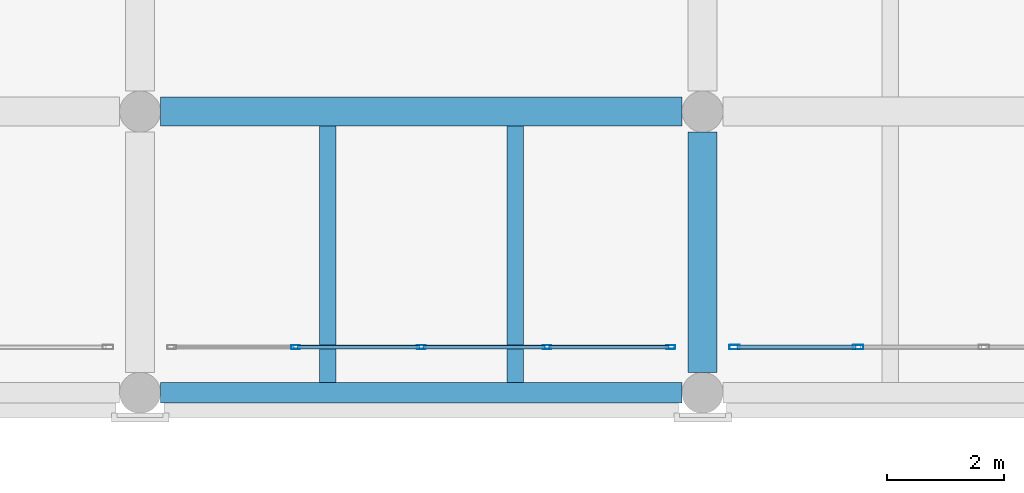
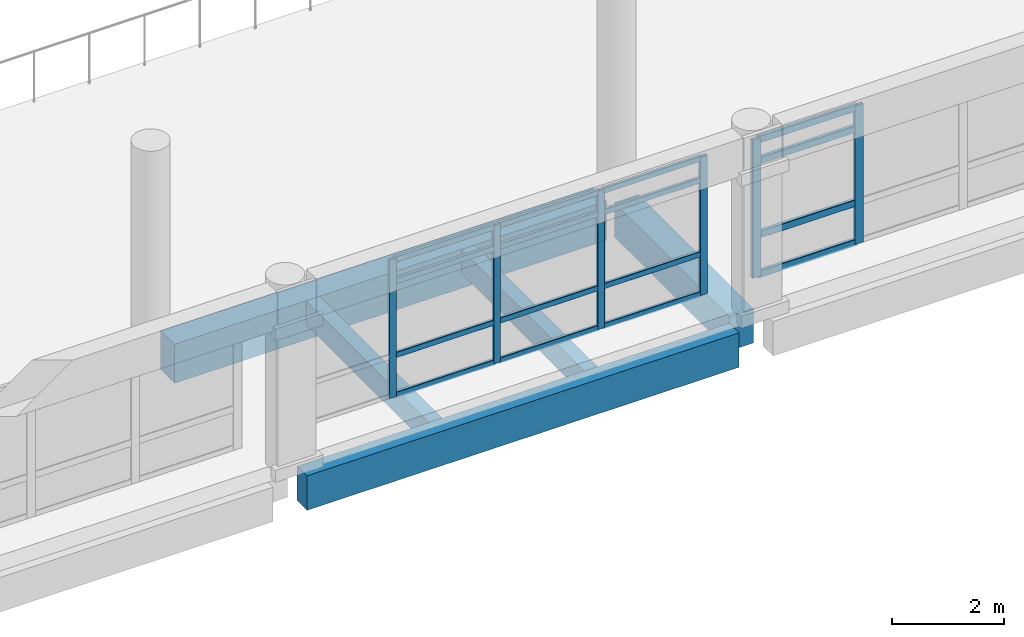
# One storey, part 22 of 180: 22 members, 5 beams, 2 elements without a shape of their own.
"""IFC4 building model written with IfcOpenShell, lengths in metres."""

from ifc_helpers import new_model, si_unit, direction, frame, origin, origin_2d, place, context, subcontext, project, spatial, rectangle, hollow_rectangle, extrude, material, layer, layer_set, material_profile, profile_set, type_object, element, aggregate, save


model = new_model("IFC4")

# Units and contexts
model_context = context("Model", 3, precision=1e-05, world=origin(), true_north=direction((0.0, 1.0)))
body_context = subcontext(model_context, "Body", "Model", "MODEL_VIEW")
ifc_project = project(units=[si_unit("LENGTHUNIT", "METRE"), si_unit("AREAUNIT", "SQUARE_METRE"), si_unit("VOLUMEUNIT", "CUBIC_METRE"), si_unit("PLANEANGLEUNIT", "RADIAN"), si_unit("MASSUNIT", "GRAM", prefix="KILO")], contexts=[model_context])

# Site, building, storey
site_placement = place(None, origin())
site = spatial("IfcSite", under=ifc_project, at=site_placement, CompositionType="ELEMENT")
building_placement = place(site_placement, origin())
building = spatial("IfcBuilding", under=site, at=building_placement, Name="Asteropetra Specialist Clinic", CompositionType="ELEMENT")
storey_placement = place(building_placement, frame((0.0, 0.0, 4.419921875)))
storey = spatial("IfcBuildingStorey", under=building, at=storey_placement, Name="L01", CompositionType="ELEMENT", Elevation=4.419921875)

# Beams
ifc_material_1 = material(Name="Concrete C35/45", Category="concrete")
ifc_material_profile_1 = material_profile(ifc_material_1, rectangle(XDim=0.5, YDim=0.75, at=origin_2d()), Name="RCB 500x750")
ifc_profile_set_1 = profile_set([ifc_material_profile_1], Name="Concrete C35/45")
beam_type_1 = type_object("IfcBeamType", Name="BM-RC500x750", PredefinedType="BEAM", material=ifc_profile_set_1)
beam_1_placement = place(storey_placement, frame((38.39990234375, 0.35009765625, -0.71484375), z_axis=(0.0, 1.0, 0.0), x_axis=(-1.0, 0.0, 0.0)))
element("IfcBeam", 1, at=beam_1_placement, inside=storey, type_object=beam_type_1, Name="Beam BBM04-0256", PredefinedType="BEAM", context=body_context, shape_type="SweptSolid", body=[
    extrude(rectangle(XDim=0.5, YDim=0.75, at=origin_2d()), origin(), (0.0, 0.0, 1.0), 4.099853515625),
])
ifc_material_2 = material(Name="Concrete C35/45", Category="concrete")
ifc_material_profile_2 = material_profile(ifc_material_2, rectangle(XDim=0.5, YDim=0.85009765625, at=origin_2d()), Name="RCB 500x850")
ifc_profile_set_2 = profile_set([ifc_material_profile_2], Name="Concrete C35/45")
beam_type_2 = type_object("IfcBeamType", Name="BM-RC500x850", PredefinedType="BEAM", material=ifc_profile_set_2)
beam_2_placement = place(storey_placement, frame((29.14990234375, 4.800048828125, -0.764892578125), z_axis=(1.0, 0.0, 0.0), x_axis=(0.0, 1.0, 0.0)))
element("IfcBeam", 2, at=beam_2_placement, inside=storey, type_object=beam_type_2, Name="Beam BBM03-0235", PredefinedType="BEAM", context=body_context, shape_type="SweptSolid", body=[
    extrude(rectangle(XDim=0.5, YDim=0.85009765625, at=origin_2d()), origin(), (0.0, 0.0, 1.0), 8.900146484375),
])

# Curtain wall, members
ifc_material_3 = material(Name="Aluminium and low-E glass", Category="aluminium")
ifc_layer_1 = layer(ifc_material_3, 0.135009765625)
ifc_layer_set_1 = layer_set([ifc_layer_1], Name="Aluminium and low-E glass")
curtain_wall_type_1 = type_object("IfcCurtainWallType", Name="CW-SYS-09", PredefinedType="USERDEFINED", material=ifc_layer_set_1)
curtain_wall_1_placement = place(storey_placement, origin())
curtain_wall_1 = element("IfcCurtainWall", 3, at=curtain_wall_1_placement, inside=storey, type_object=curtain_wall_type_1, Name="Curtain Wall CW-136", ObjectType="STICK GLAZED COLONNADE", PredefinedType="USERDEFINED")
ifc_material_4 = material(Name="Aluminium 6063-T6", Category="aluminium")
ifc_material_profile_3 = material_profile(ifc_material_4, hollow_rectangle(XDim=0.06494140625, YDim=0.14990234375, WallThickness=0.00390625, InnerFilletRadius=0.00390625, OuterFilletRadius=0.008056640625, at=origin_2d()), Name="MUL 150x65x4.0")
ifc_profile_set_3 = profile_set([ifc_material_profile_3], Name="Aluminium 6063-T6")
member_type_1 = type_object("IfcMemberType", Name="CWM-150x65", PredefinedType="MULLION", material=ifc_profile_set_3)
member_1_placement = place(storey_placement, frame((31.455078125, 0.780029296875, 0.0), z_axis=(0.0, 0.0, 1.0), x_axis=(0.0, 1.0, 0.0)))
member_1 = element("IfcMember", 4, at=member_1_placement, type_object=member_type_1, Name="CW-136 mullion 2", PredefinedType="MULLION", context=body_context, shape_type="SweptSolid", body=[
    extrude(hollow_rectangle(XDim=0.06494140625, YDim=0.14990234375, WallThickness=0.00390625, InnerFilletRadius=0.00390625, OuterFilletRadius=0.008056640625, at=origin_2d()), origin(), (0.0, 0.0, 1.0), 3.010009765625),
])
member_2_placement = place(storey_placement, frame((33.60009765625, 0.780029296875, 0.0), z_axis=(0.0, 0.0, 1.0), x_axis=(0.0, 1.0, 0.0)))
member_2 = element("IfcMember", 5, at=member_2_placement, type_object=member_type_1, Name="CW-136 mullion 3", PredefinedType="MULLION", context=body_context, shape_type="SweptSolid", body=[
    extrude(hollow_rectangle(XDim=0.06494140625, YDim=0.14990234375, WallThickness=0.00390625, InnerFilletRadius=0.00390625, OuterFilletRadius=0.008056640625, at=origin_2d()), origin(), (0.0, 0.0, 1.0), 3.010009765625),
])
member_3_placement = place(storey_placement, frame((35.7451171875, 0.780029296875, 0.0), z_axis=(0.0, 0.0, 1.0), x_axis=(0.0, 1.0, 0.0)))
member_3 = element("IfcMember", 6, at=member_3_placement, type_object=member_type_1, Name="CW-136 mullion 4", PredefinedType="MULLION", context=body_context, shape_type="SweptSolid", body=[
    extrude(hollow_rectangle(XDim=0.06494140625, YDim=0.14990234375, WallThickness=0.00390625, InnerFilletRadius=0.00390625, OuterFilletRadius=0.008056640625, at=origin_2d()), origin(), (0.0, 0.0, 1.0), 3.010009765625),
])
member_4_placement = place(storey_placement, frame((37.857421875, 0.780029296875, 0.0), z_axis=(0.0, 0.0, 1.0), x_axis=(0.0, 1.0, 0.0)))
member_4 = element("IfcMember", 7, at=member_4_placement, type_object=member_type_1, Name="CW-136 mullion 5", PredefinedType="MULLION", context=body_context, shape_type="SweptSolid", body=[
    extrude(hollow_rectangle(XDim=0.06494140625, YDim=0.14990234375, WallThickness=0.00390625, InnerFilletRadius=0.00390625, OuterFilletRadius=0.008056640625, at=origin_2d()), origin(), (0.0, 0.0, 1.0), 3.010009765625),
])

ifc_material_5 = material(Name="Aluminium and low-E glass", Category="aluminium")
ifc_layer_2 = layer(ifc_material_5, 0.14990234375)
ifc_layer_set_2 = layer_set([ifc_layer_2], Name="Aluminium and low-E glass")
curtain_wall_type_2 = type_object("IfcCurtainWallType", Name="CW-SYS-11", PredefinedType="USERDEFINED", material=ifc_layer_set_2)
curtain_wall_2_placement = place(storey_placement, origin())
curtain_wall_2 = element("IfcCurtainWall", 8, at=curtain_wall_2_placement, inside=storey, type_object=curtain_wall_type_2, Name="Curtain Wall CW-138", ObjectType="STICK GLAZED COLONNADE", PredefinedType="USERDEFINED")
ifc_material_6 = material(Name="Aluminium 6063-T6", Category="aluminium")
ifc_material_profile_4 = material_profile(ifc_material_6, hollow_rectangle(XDim=0.074951171875, YDim=0.179931640625, WallThickness=0.00390625, InnerFilletRadius=0.00390625, OuterFilletRadius=0.008056640625, at=origin_2d()), Name="MUL 180x75x4.0")
ifc_profile_set_4 = profile_set([ifc_material_profile_4], Name="Aluminium 6063-T6")
member_type_2 = type_object("IfcMemberType", Name="CWM-180x75", PredefinedType="MULLION", material=ifc_profile_set_4)
member_5_placement = place(storey_placement, frame((38.947509765625, 0.780029296875, 0.0), z_axis=(0.0, 0.0, 1.0), x_axis=(0.0, 1.0, 0.0)))
member_5 = element("IfcMember", 9, at=member_5_placement, type_object=member_type_2, Name="CW-138 mullion 1", PredefinedType="MULLION", context=body_context, shape_type="SweptSolid", body=[
    extrude(hollow_rectangle(XDim=0.074951171875, YDim=0.179931640625, WallThickness=0.00390625, InnerFilletRadius=0.00390625, OuterFilletRadius=0.008056640625, at=origin_2d()), origin(), (0.0, 0.0, 1.0), 3.010009765625),
])
member_6_placement = place(storey_placement, frame((41.054931640625, 0.780029296875, 0.0), z_axis=(0.0, 0.0, 1.0), x_axis=(0.0, 1.0, 0.0)))
member_6 = element("IfcMember", 10, at=member_6_placement, type_object=member_type_2, Name="CW-138 mullion 2", PredefinedType="MULLION", context=body_context, shape_type="SweptSolid", body=[
    extrude(hollow_rectangle(XDim=0.074951171875, YDim=0.179931640625, WallThickness=0.00390625, InnerFilletRadius=0.00390625, OuterFilletRadius=0.008056640625, at=origin_2d()), origin(), (0.0, 0.0, 1.0), 3.010009765625),
])

# Member
ifc_material_7 = material(Name="Aluminium 6063-T6", Category="aluminium")
ifc_material_profile_5 = material_profile(ifc_material_7, hollow_rectangle(XDim=0.06494140625, YDim=0.1201171875, WallThickness=0.00390625, InnerFilletRadius=0.00390625, OuterFilletRadius=0.008056640625, at=origin_2d()), Name="TRN 120x65x4.0")
ifc_profile_set_5 = profile_set([ifc_material_profile_5], Name="Aluminium 6063-T6")
member_type_3 = type_object("IfcMemberType", Name="CWT-120x65", PredefinedType="USERDEFINED", material=ifc_profile_set_5)
member_7_placement = place(storey_placement, frame((31.487548828125, 0.780029296875, 0.032470703125), z_axis=(1.0, 0.0, 0.0), x_axis=(0.0, 1.0, 0.0)))
member_7 = element("IfcMember", 11, at=member_7_placement, type_object=member_type_3, Name="CW-136 transom 2.1", ObjectType="TRANSOM", PredefinedType="USERDEFINED", context=body_context, shape_type="SweptSolid", body=[
    extrude(hollow_rectangle(XDim=0.06494140625, YDim=0.1201171875, WallThickness=0.00390625, InnerFilletRadius=0.00390625, OuterFilletRadius=0.008056640625, at=origin_2d()), origin(), (0.0, 0.0, 1.0), 2.079833984375),
])

member_8_placement = place(storey_placement, frame((31.487548828125, 0.780029296875, 0.900146484375), z_axis=(1.0, 0.0, 0.0), x_axis=(0.0, 1.0, 0.0)))
member_8 = element("IfcMember", 12, at=member_8_placement, type_object=member_type_3, Name="CW-136 transom 2.2", ObjectType="TRANSOM", PredefinedType="USERDEFINED", context=body_context, shape_type="SweptSolid", body=[
    extrude(hollow_rectangle(XDim=0.06494140625, YDim=0.1201171875, WallThickness=0.00390625, InnerFilletRadius=0.00390625, OuterFilletRadius=0.008056640625, at=origin_2d()), origin(), (0.0, 0.0, 1.0), 2.079833984375),
])

member_9_placement = place(storey_placement, frame((31.487548828125, 0.780029296875, 2.510009765625), z_axis=(1.0, 0.0, 0.0), x_axis=(0.0, 1.0, 0.0)))
member_9 = element("IfcMember", 13, at=member_9_placement, type_object=member_type_3, Name="CW-136 transom 2.3", ObjectType="TRANSOM", PredefinedType="USERDEFINED", context=body_context, shape_type="SweptSolid", body=[
    extrude(hollow_rectangle(XDim=0.06494140625, YDim=0.1201171875, WallThickness=0.00390625, InnerFilletRadius=0.00390625, OuterFilletRadius=0.008056640625, at=origin_2d()), origin(), (0.0, 0.0, 1.0), 2.079833984375),
])

member_10_placement = place(storey_placement, frame((31.487548828125, 0.780029296875, 2.9775390625), z_axis=(1.0, 0.0, 0.0), x_axis=(0.0, 1.0, 0.0)))
member_10 = element("IfcMember", 14, at=member_10_placement, type_object=member_type_3, Name="CW-136 transom 2.4", ObjectType="TRANSOM", PredefinedType="USERDEFINED", context=body_context, shape_type="SweptSolid", body=[
    extrude(hollow_rectangle(XDim=0.06494140625, YDim=0.1201171875, WallThickness=0.00390625, InnerFilletRadius=0.00390625, OuterFilletRadius=0.008056640625, at=origin_2d()), origin(), (0.0, 0.0, 1.0), 2.079833984375),
])

member_11_placement = place(storey_placement, frame((33.632568359375, 0.780029296875, 0.032470703125), z_axis=(1.0, 0.0, 0.0), x_axis=(0.0, 1.0, 0.0)))
member_11 = element("IfcMember", 15, at=member_11_placement, type_object=member_type_3, Name="CW-136 transom 3.1", ObjectType="TRANSOM", PredefinedType="USERDEFINED", context=body_context, shape_type="SweptSolid", body=[
    extrude(hollow_rectangle(XDim=0.06494140625, YDim=0.1201171875, WallThickness=0.00390625, InnerFilletRadius=0.00390625, OuterFilletRadius=0.008056640625, at=origin_2d()), origin(), (0.0, 0.0, 1.0), 2.079833984375),
])

member_12_placement = place(storey_placement, frame((33.632568359375, 0.780029296875, 0.900146484375), z_axis=(1.0, 0.0, 0.0), x_axis=(0.0, 1.0, 0.0)))
member_12 = element("IfcMember", 16, at=member_12_placement, type_object=member_type_3, Name="CW-136 transom 3.2", ObjectType="TRANSOM", PredefinedType="USERDEFINED", context=body_context, shape_type="SweptSolid", body=[
    extrude(hollow_rectangle(XDim=0.06494140625, YDim=0.1201171875, WallThickness=0.00390625, InnerFilletRadius=0.00390625, OuterFilletRadius=0.008056640625, at=origin_2d()), origin(), (0.0, 0.0, 1.0), 2.079833984375),
])

member_13_placement = place(storey_placement, frame((33.632568359375, 0.780029296875, 2.510009765625), z_axis=(1.0, 0.0, 0.0), x_axis=(0.0, 1.0, 0.0)))
member_13 = element("IfcMember", 17, at=member_13_placement, type_object=member_type_3, Name="CW-136 transom 3.3", ObjectType="TRANSOM", PredefinedType="USERDEFINED", context=body_context, shape_type="SweptSolid", body=[
    extrude(hollow_rectangle(XDim=0.06494140625, YDim=0.1201171875, WallThickness=0.00390625, InnerFilletRadius=0.00390625, OuterFilletRadius=0.008056640625, at=origin_2d()), origin(), (0.0, 0.0, 1.0), 2.079833984375),
])

member_14_placement = place(storey_placement, frame((33.632568359375, 0.780029296875, 2.9775390625), z_axis=(1.0, 0.0, 0.0), x_axis=(0.0, 1.0, 0.0)))
member_14 = element("IfcMember", 18, at=member_14_placement, type_object=member_type_3, Name="CW-136 transom 3.4", ObjectType="TRANSOM", PredefinedType="USERDEFINED", context=body_context, shape_type="SweptSolid", body=[
    extrude(hollow_rectangle(XDim=0.06494140625, YDim=0.1201171875, WallThickness=0.00390625, InnerFilletRadius=0.00390625, OuterFilletRadius=0.008056640625, at=origin_2d()), origin(), (0.0, 0.0, 1.0), 2.079833984375),
])

member_15_placement = place(storey_placement, frame((35.777587890625, 0.780029296875, 0.032470703125), z_axis=(1.0, 0.0, 0.0), x_axis=(0.0, 1.0, 0.0)))
member_15 = element("IfcMember", 19, at=member_15_placement, type_object=member_type_3, Name="CW-136 transom 4.1", ObjectType="TRANSOM", PredefinedType="USERDEFINED", context=body_context, shape_type="SweptSolid", body=[
    extrude(hollow_rectangle(XDim=0.06494140625, YDim=0.1201171875, WallThickness=0.00390625, InnerFilletRadius=0.00390625, OuterFilletRadius=0.008056640625, at=origin_2d()), origin(), (0.0, 0.0, 1.0), 2.04736328125),
])

member_16_placement = place(storey_placement, frame((35.777587890625, 0.780029296875, 0.900146484375), z_axis=(1.0, 0.0, 0.0), x_axis=(0.0, 1.0, 0.0)))
member_16 = element("IfcMember", 20, at=member_16_placement, type_object=member_type_3, Name="CW-136 transom 4.2", ObjectType="TRANSOM", PredefinedType="USERDEFINED", context=body_context, shape_type="SweptSolid", body=[
    extrude(hollow_rectangle(XDim=0.06494140625, YDim=0.1201171875, WallThickness=0.00390625, InnerFilletRadius=0.00390625, OuterFilletRadius=0.008056640625, at=origin_2d()), origin(), (0.0, 0.0, 1.0), 2.04736328125),
])

member_17_placement = place(storey_placement, frame((35.777587890625, 0.780029296875, 2.510009765625), z_axis=(1.0, 0.0, 0.0), x_axis=(0.0, 1.0, 0.0)))
member_17 = element("IfcMember", 21, at=member_17_placement, type_object=member_type_3, Name="CW-136 transom 4.3", ObjectType="TRANSOM", PredefinedType="USERDEFINED", context=body_context, shape_type="SweptSolid", body=[
    extrude(hollow_rectangle(XDim=0.06494140625, YDim=0.1201171875, WallThickness=0.00390625, InnerFilletRadius=0.00390625, OuterFilletRadius=0.008056640625, at=origin_2d()), origin(), (0.0, 0.0, 1.0), 2.04736328125),
])

member_18_placement = place(storey_placement, frame((35.777587890625, 0.780029296875, 2.9775390625), z_axis=(1.0, 0.0, 0.0), x_axis=(0.0, 1.0, 0.0)))
member_18 = element("IfcMember", 22, at=member_18_placement, type_object=member_type_3, Name="CW-136 transom 4.4", ObjectType="TRANSOM", PredefinedType="USERDEFINED", context=body_context, shape_type="SweptSolid", body=[
    extrude(hollow_rectangle(XDim=0.06494140625, YDim=0.1201171875, WallThickness=0.00390625, InnerFilletRadius=0.00390625, OuterFilletRadius=0.008056640625, at=origin_2d()), origin(), (0.0, 0.0, 1.0), 2.04736328125),
])

aggregate(curtain_wall_1, [member_1, member_2, member_3, member_4, member_7, member_8, member_9, member_10, member_11, member_12, member_13, member_14, member_15, member_16, member_17, member_18])

ifc_material_8 = material(Name="Aluminium 6063-T6", Category="aluminium")
ifc_material_profile_6 = material_profile(ifc_material_8, hollow_rectangle(XDim=0.074951171875, YDim=0.14990234375, WallThickness=0.00390625, InnerFilletRadius=0.00390625, OuterFilletRadius=0.008056640625, at=origin_2d()), Name="TRN 150x75x4.0")
ifc_profile_set_6 = profile_set([ifc_material_profile_6], Name="Aluminium 6063-T6")
member_type_4 = type_object("IfcMemberType", Name="CWT-150x75", PredefinedType="USERDEFINED", material=ifc_profile_set_6)
member_19_placement = place(storey_placement, frame((38.985107421875, 0.780029296875, 0.03759765625), z_axis=(1.0, 0.0, 0.0), x_axis=(0.0, 1.0, 0.0)))
member_19 = element("IfcMember", 23, at=member_19_placement, type_object=member_type_4, Name="CW-138 transom 1.1", ObjectType="TRANSOM", PredefinedType="USERDEFINED", context=body_context, shape_type="SweptSolid", body=[
    extrude(hollow_rectangle(XDim=0.074951171875, YDim=0.14990234375, WallThickness=0.00390625, InnerFilletRadius=0.00390625, OuterFilletRadius=0.008056640625, at=origin_2d()), origin(), (0.0, 0.0, 1.0), 2.032470703125),
])

member_20_placement = place(storey_placement, frame((38.985107421875, 0.780029296875, 0.900146484375), z_axis=(1.0, 0.0, 0.0), x_axis=(0.0, 1.0, 0.0)))
member_20 = element("IfcMember", 24, at=member_20_placement, type_object=member_type_4, Name="CW-138 transom 1.2", ObjectType="TRANSOM", PredefinedType="USERDEFINED", context=body_context, shape_type="SweptSolid", body=[
    extrude(hollow_rectangle(XDim=0.074951171875, YDim=0.14990234375, WallThickness=0.00390625, InnerFilletRadius=0.00390625, OuterFilletRadius=0.008056640625, at=origin_2d()), origin(), (0.0, 0.0, 1.0), 2.032470703125),
])

member_21_placement = place(storey_placement, frame((38.985107421875, 0.780029296875, 2.510009765625), z_axis=(1.0, 0.0, 0.0), x_axis=(0.0, 1.0, 0.0)))
member_21 = element("IfcMember", 25, at=member_21_placement, type_object=member_type_4, Name="CW-138 transom 1.3", ObjectType="TRANSOM", PredefinedType="USERDEFINED", context=body_context, shape_type="SweptSolid", body=[
    extrude(hollow_rectangle(XDim=0.074951171875, YDim=0.14990234375, WallThickness=0.00390625, InnerFilletRadius=0.00390625, OuterFilletRadius=0.008056640625, at=origin_2d()), origin(), (0.0, 0.0, 1.0), 2.032470703125),
])

member_22_placement = place(storey_placement, frame((38.985107421875, 0.780029296875, 2.97265625), z_axis=(1.0, 0.0, 0.0), x_axis=(0.0, 1.0, 0.0)))
member_22 = element("IfcMember", 26, at=member_22_placement, type_object=member_type_4, Name="CW-138 transom 1.4", ObjectType="TRANSOM", PredefinedType="USERDEFINED", context=body_context, shape_type="SweptSolid", body=[
    extrude(hollow_rectangle(XDim=0.074951171875, YDim=0.14990234375, WallThickness=0.00390625, InnerFilletRadius=0.00390625, OuterFilletRadius=0.008056640625, at=origin_2d()), origin(), (0.0, 0.0, 1.0), 2.032470703125),
])

aggregate(curtain_wall_2, [member_5, member_6, member_19, member_20, member_21, member_22])

# Beams
ifc_material_9 = material(Name="Concrete C35/45", Category="concrete")
ifc_material_profile_7 = material_profile(ifc_material_9, rectangle(XDim=0.280029296875, YDim=0.52001953125, at=origin_2d()), Name="RCJ 280x520")
ifc_profile_set_7 = profile_set([ifc_material_profile_7], Name="Concrete C35/45")
beam_type_3 = type_object("IfcBeamType", Name="JST-RC280x520", PredefinedType="JOIST", material=ifc_profile_set_7)
for number, where, z_axis, x_axis, name in (
    (27, (32.0, 0.175048828125, -0.599853515625), (0.0, 1.0, 0.0), (-1.0, 0.0, 0.0), "Joist JJST01-0265"),
    (28, (35.199951171875, 0.175048828125, -0.599853515625), (0.0, 1.0, 0.0), (-1.0, 0.0, 0.0), "Joist JJST01-0266"),
):
    element("IfcBeam", number, at=place(storey_placement, frame(where, z_axis=z_axis, x_axis=x_axis)), inside=storey, type_object=beam_type_3, Name=name, PredefinedType="JOIST", context=body_context, shape_type="SweptSolid", body=[
        extrude(rectangle(XDim=0.280029296875, YDim=0.52001953125, at=origin_2d()), origin(), (0.0, 0.0, 1.0), 4.375),
    ])
ifc_material_10 = material(Name="Concrete C35/45", Category="concrete")
ifc_material_profile_8 = material_profile(ifc_material_10, rectangle(XDim=0.35009765625, YDim=0.75, at=origin_2d()), Name="RCS 350x750")
ifc_profile_set_8 = profile_set([ifc_material_profile_8], Name="Concrete C35/45")
beam_type_4 = type_object("IfcBeamType", Name="SPN-RC350x750", PredefinedType="SPANDREL", material=ifc_profile_set_8)
beam_3_placement = place(storey_placement, frame((29.14990234375, 0.0, -0.71484375), z_axis=(1.0, 0.0, 0.0), x_axis=(0.0, 1.0, 0.0)))
element("IfcBeam", 29, at=beam_3_placement, inside=storey, type_object=beam_type_4, Name="Beam BSPN01-0229", PredefinedType="SPANDREL", context=body_context, shape_type="SweptSolid", body=[
    extrude(rectangle(XDim=0.35009765625, YDim=0.75, at=origin_2d()), origin(), (0.0, 0.0, 1.0), 8.900146484375),
])

save(model, "model.ifc")
